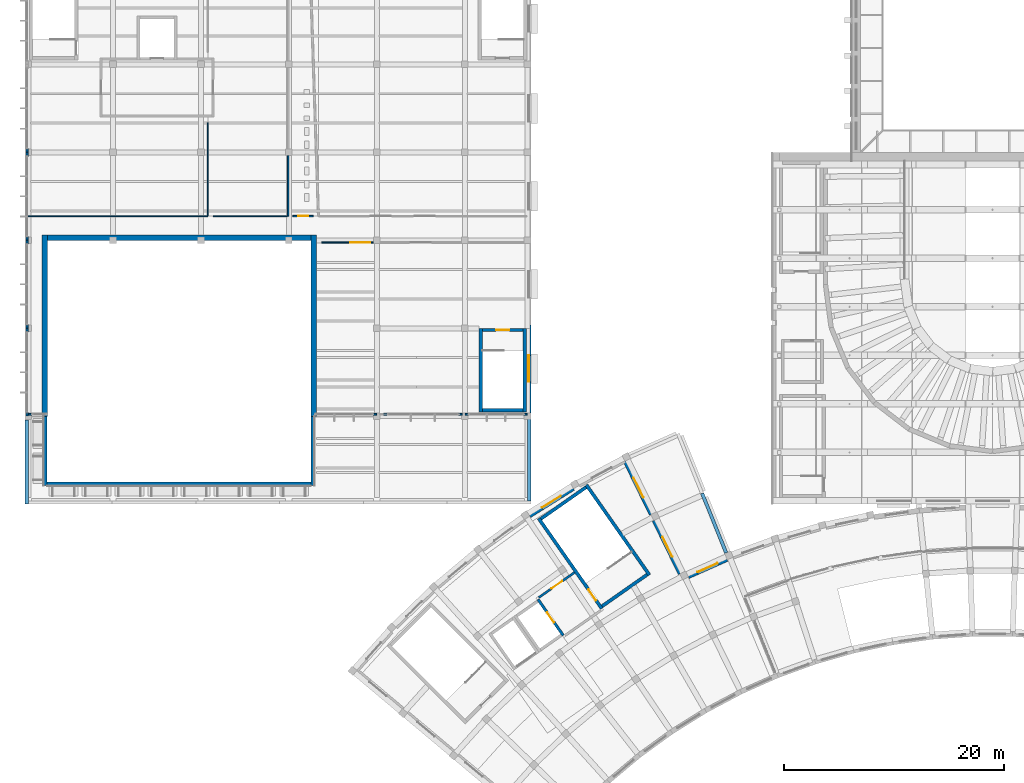
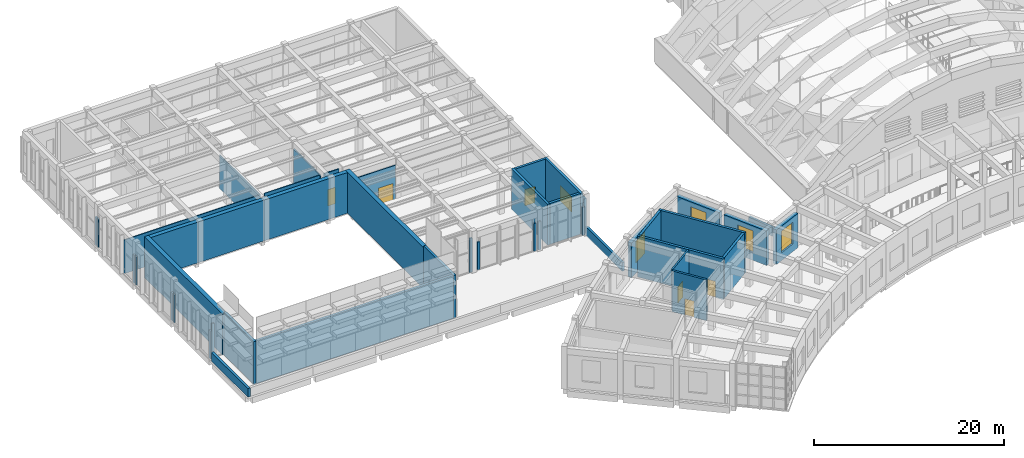
# One storey, part 60 of 94: 43 walls, 6 doors, 5 windows, 11 openings.
"""IFC4 building model written with IfcOpenShell, lengths in metres."""

from ifc_helpers import new_model, si_unit, direction, frame, frame_2d, origin, place, context, subcontext, project, spatial, polyline, rectangle, outline, extrude, material, layer, layer_set, type_object, element, fill, save


model = new_model("IFC4")

# Units and contexts
model_context = context("Model", 3, precision=1e-05, world=origin(), true_north=direction((0.0, 1.0)))
body_context = subcontext(model_context, "Body", "Model", "MODEL_VIEW")
ifc_project = project(units=[si_unit("LENGTHUNIT", "METRE"), si_unit("AREAUNIT", "SQUARE_METRE"), si_unit("VOLUMEUNIT", "CUBIC_METRE"), si_unit("PLANEANGLEUNIT", "RADIAN"), si_unit("MASSUNIT", "GRAM", prefix="KILO")], contexts=[model_context])

# Site, building, storey
site_placement = place(None, origin())
site = spatial("IfcSite", under=ifc_project, at=site_placement, CompositionType="ELEMENT")
building_placement = place(site_placement, origin())
building = spatial("IfcBuilding", under=site, at=building_placement, Name="Lunette Opera House", CompositionType="ELEMENT")
storey_placement = place(building_placement, frame((0.0, 0.0, 22.5)))
storey = spatial("IfcBuildingStorey", under=building, at=storey_placement, Name="L04", CompositionType="ELEMENT", Elevation=22.5)

# Wall, opening, window
ifc_material_1 = material(Name="Clinker brick", Category="masonry")
ifc_layer_1 = layer(ifc_material_1, 0.449951171875)
ifc_layer_set_1 = layer_set([ifc_layer_1], Name="Clinker brick")
wall_type_1 = type_object("IfcWallType", Name="ARM RAIN SCREEN WALL 450", PredefinedType="SOLIDWALL", material=ifc_layer_set_1)
wall_1_placement = place(storey_placement, frame((53.881103515625, 62.97900390625, 0.0), z_axis=(0.0, 0.0, 1.0), x_axis=(0.848094792162, 0.529844527676, 0.0)))
wall_1 = element("IfcWall", 1, at=wall_1_placement, inside=storey, type_object=wall_type_1, Name="Arm Rain Screen Wall 450 BW-CW05 L04", PredefinedType="SOLIDWALL", context=body_context, shape_type="SweptSolid", body=[
    extrude(rectangle(XDim=4.690185546875, YDim=0.449951171875, at=frame_2d((2.34521484375, 0.0))), origin(), (0.0, 0.0, 1.0), 4.449951171875),
])
opening_1_placement = place(wall_1_placement, frame((1.344970703125, 0.0, 1.0)))
opening_1 = element("IfcOpeningElement", 2, at=opening_1_placement, cuts=wall_1, Name="Opening FC-N2129", PredefinedType="OPENING", context=body_context, shape_type="SweptSolid", body=[
    extrude(rectangle(XDim=2.0, YDim=2.800048828125, at=frame_2d((1.0, 1.39990234375))), frame((0.0, 0.237060546875, 0.0), z_axis=(0.0, -1.0, 0.0), x_axis=(1.0, 0.0, 0.0)), (0.0, 0.0, 1.0), 0.473876953125),
])
ifc_material_2 = material(Name="Aluminium", Category="aluminium")
window_type_1 = type_object("IfcWindowType", Name="ARM WINDOW 2000 X 2800", PartitioningType="DOUBLE_PANEL_VERTICAL", PredefinedType="WINDOW", material=ifc_material_2)
window_1_placement = place(opening_1_placement, origin())
window_1 = element("IfcWindow", 3, at=window_1_placement, inside=storey, type_object=window_type_1, Name="Arm Window 2000 X 2800 BW-CW05 L04", OverallHeight=2.800048828125, OverallWidth=2.0, PartitioningType="DOUBLE_PANEL_VERTICAL", PredefinedType="WINDOW", context=body_context, shape_type="SweptSolid", body=[
    extrude(rectangle(XDim=2.0, YDim=2.800048828125, at=frame_2d((1.0, 1.39990234375))), frame((0.0, 0.030029296875, 0.0), z_axis=(0.0, -1.0, 0.0), x_axis=(1.0, 0.0, 0.0)), (0.0, 0.0, 1.0), 0.06005859375),
])
fill(opening_1, window_1)

ifc_material_3 = material(Name="Clinker brick", Category="masonry")
ifc_layer_2 = layer(ifc_material_3, 0.449951171875)
ifc_layer_set_2 = layer_set([ifc_layer_2], Name="Clinker brick")
wall_type_2 = type_object("IfcWallType", Name="ARM REAR WALL 450", PredefinedType="SOLIDWALL", material=ifc_layer_set_2)
wall_2_placement = place(storey_placement, frame((71.8330078125, 59.008056640625, 0.0), z_axis=(0.0, 0.0, 1.0), x_axis=(-0.913638749142, -0.406527042231, 0.0)))
wall_2 = element("IfcWall", 4, at=wall_2_placement, inside=storey, type_object=wall_type_2, Name="Arm Rear Wall 450 F01 L04", PredefinedType="SOLIDWALL", context=body_context, shape_type="SweptSolid", body=[
    extrude(rectangle(XDim=3.84716796875, YDim=0.449951171875, at=frame_2d((1.923583984375, 0.0))), origin(), (0.0, 0.0, 1.0), 4.449951171875),
])
opening_2_placement = place(wall_2_placement, frame((0.923095703125, 0.0, 1.0)))
opening_2 = element("IfcOpeningElement", 5, at=opening_2_placement, cuts=wall_2, Name="Opening FC-N2191", PredefinedType="OPENING", context=body_context, shape_type="SweptSolid", body=[
    extrude(rectangle(XDim=2.0, YDim=2.800048828125, at=frame_2d((1.0, 1.39990234375))), frame((0.0, 0.237060546875, 0.0), z_axis=(0.0, -1.0, 0.0), x_axis=(1.0, 0.0, 0.0)), (0.0, 0.0, 1.0), 0.473876953125),
])
window_2_placement = place(opening_2_placement, origin())
window_2 = element("IfcWindow", 6, at=window_2_placement, inside=storey, type_object=window_type_1, Name="Arm Window 2000 X 2800 F01 L04", OverallHeight=2.800048828125, OverallWidth=2.0, PartitioningType="DOUBLE_PANEL_VERTICAL", PredefinedType="WINDOW", context=body_context, shape_type="SweptSolid", body=[
    extrude(rectangle(XDim=2.0, YDim=2.800048828125, at=frame_2d((1.0, 1.39990234375))), frame((0.0, 0.030029296875, 0.0), z_axis=(0.0, -1.0, 0.0), x_axis=(1.0, 0.0, 0.0)), (0.0, 0.0, 1.0), 0.06005859375),
])
fill(opening_2, window_2)

wall_3_placement = place(storey_placement, frame((67.610107421875, 57.693115234375, 0.0), z_axis=(0.0, 0.0, 1.0), x_axis=(-0.438184895588, 0.898884863194, 0.0)))
wall_3 = element("IfcWall", 7, at=wall_3_placement, inside=storey, type_object=wall_type_2, Name="Arm Rear Wall 450 F02 L04", PredefinedType="SOLIDWALL", context=body_context, shape_type="SweptSolid", body=[
    extrude(rectangle(XDim=5.400146484375, YDim=0.449951171875, at=frame_2d((2.7001953125, 0.0))), origin(), (0.0, 0.0, 1.0), 4.449951171875),
])
opening_3_placement = place(wall_3_placement, frame((1.699951171875, 0.0, 1.0)))
opening_3 = element("IfcOpeningElement", 8, at=opening_3_placement, cuts=wall_3, Name="Opening FC-N2192", PredefinedType="OPENING", context=body_context, shape_type="SweptSolid", body=[
    extrude(rectangle(XDim=2.0, YDim=2.800048828125, at=frame_2d((1.0, 1.39990234375))), frame((0.0, 0.237060546875, 0.0), z_axis=(0.0, -1.0, 0.0), x_axis=(1.0, 0.0, 0.0)), (0.0, 0.0, 1.0), 0.473876953125),
])
window_3_placement = place(opening_3_placement, origin())
window_3 = element("IfcWindow", 9, at=window_3_placement, inside=storey, type_object=window_type_1, Name="Arm Window 2000 X 2800 F02 L04", OverallHeight=2.800048828125, OverallWidth=2.0, PartitioningType="DOUBLE_PANEL_VERTICAL", PredefinedType="WINDOW", context=body_context, shape_type="SweptSolid", body=[
    extrude(rectangle(XDim=2.0, YDim=2.800048828125, at=frame_2d((1.0, 1.39990234375))), frame((0.0, 0.030029296875, 0.0), z_axis=(0.0, -1.0, 0.0), x_axis=(1.0, 0.0, 0.0)), (0.0, 0.0, 1.0), 0.06005859375),
])
fill(opening_3, window_3)

wall_4_placement = place(storey_placement, frame((64.97998046875, 63.0869140625, 0.0), z_axis=(0.0, 0.0, 1.0), x_axis=(-0.438365726399, 0.89879668998, 0.0)))
wall_4 = element("IfcWall", 10, at=wall_4_placement, inside=storey, type_object=wall_type_2, Name="Arm Rear Wall 450 F03 L04", PredefinedType="SOLIDWALL", context=body_context, shape_type="SweptSolid", body=[
    extrude(rectangle(XDim=5.3994140625, YDim=0.449951171875, at=frame_2d((2.69970703125, 0.0))), origin(), (0.0, 0.0, 1.0), 4.449951171875),
])
opening_4_placement = place(wall_4_placement, frame((1.699951171875, 0.0, 1.0)))
opening_4 = element("IfcOpeningElement", 11, at=opening_4_placement, cuts=wall_4, Name="Opening FC-N2193", PredefinedType="OPENING", context=body_context, shape_type="SweptSolid", body=[
    extrude(rectangle(XDim=2.0, YDim=2.800048828125, at=frame_2d((1.0, 1.39990234375))), frame((0.0, 0.237060546875, 0.0), z_axis=(0.0, -1.0, 0.0), x_axis=(1.0, 0.0, 0.0)), (0.0, 0.0, 1.0), 0.473876953125),
])
window_4_placement = place(opening_4_placement, origin())
window_4 = element("IfcWindow", 12, at=window_4_placement, inside=storey, type_object=window_type_1, Name="Arm Window 2000 X 2800 F03 L04", OverallHeight=2.800048828125, OverallWidth=2.0, PartitioningType="DOUBLE_PANEL_VERTICAL", PredefinedType="WINDOW", context=body_context, shape_type="SweptSolid", body=[
    extrude(rectangle(XDim=2.0, YDim=2.800048828125, at=frame_2d((1.0, 1.39990234375))), frame((0.0, 0.030029296875, 0.0), z_axis=(0.0, -1.0, 0.0), x_axis=(1.0, 0.0, 0.0)), (0.0, 0.0, 1.0), 0.06005859375),
])
fill(opening_4, window_4)

# Wall
ifc_material_4 = material(Name="Plastered clay blockwork", Category="masonry")
ifc_layer_3 = layer(ifc_material_4, 0.14990234375)
ifc_layer_set_3 = layer_set([ifc_layer_3], Name="Plastered clay blockwork")
wall_type_3 = type_object("IfcWallType", Name="BLOCK PARTITION 150", PredefinedType="PARTITIONING", material=ifc_layer_set_3)
wall_5_placement = place(storey_placement, frame((31.930908203125, 95.699951171875, 0.0), z_axis=(0.0, 0.0, 1.0), x_axis=(0.0, -1.0, 0.0)))
element("IfcWall", 13, at=wall_5_placement, inside=storey, type_object=wall_type_3, Name="Partition Rehearsal Wing WC L04", PredefinedType="PARTITIONING", context=body_context, shape_type="SweptSolid", body=[
    extrude(rectangle(XDim=5.5, YDim=0.14990234375, at=frame_2d((2.75, 0.0))), origin(), (0.0, 0.0, 1.0), 4.35009765625),
])

# Wall, opening, door
wall_6_placement = place(storey_placement, frame((32.35595703125, 90.199951171875, 0.0), z_axis=(0.0, 0.0, 1.0), x_axis=(1.0, 0.0, 0.0)))
wall_6 = element("IfcWall", 14, at=wall_6_placement, inside=storey, type_object=wall_type_3, Name="Partition Rehearsal Wing WC L04", PredefinedType="PARTITIONING", context=body_context, shape_type="SweptSolid", body=[
    extrude(rectangle(XDim=1.843017578125, YDim=0.14990234375, at=frame_2d((0.92138671875, 0.0))), origin(), (0.0, 0.0, 1.0), 4.35009765625),
])
opening_5_placement = place(wall_6_placement, frame((0.5009765625, 0.0, 0.0)))
opening_5 = element("IfcOpeningElement", 15, at=opening_5_placement, cuts=wall_6, Name="Opening RW-D3044", PredefinedType="OPENING", context=body_context, shape_type="SweptSolid", body=[
    extrude(rectangle(XDim=0.89990234375, YDim=2.10009765625, at=frame_2d((0.449951171875, 1.050048828125))), frame((0.0, 0.0869140625, 0.0), z_axis=(0.0, -1.0, 0.0), x_axis=(1.0, 0.0, 0.0)), (0.0, 0.0, 1.0), 0.173828125),
])
ifc_material_5 = material(Name="Timber", Category="wood")
door_type_1 = type_object("IfcDoorType", Name="FLUSH DOOR 900 X 2100", OperationType="SINGLE_SWING_LEFT", PredefinedType="DOOR", material=ifc_material_5)
door_1_placement = place(opening_5_placement, origin())
door_1 = element("IfcDoor", 16, at=door_1_placement, inside=storey, type_object=door_type_1, Name="Rehearsal Wing WC L04 door", OperationType="SINGLE_SWING_RIGHT", OverallHeight=2.10009765625, OverallWidth=0.89990234375, PredefinedType="DOOR", context=body_context, shape_type="SweptSolid", body=[
    extrude(rectangle(XDim=0.89990234375, YDim=2.10009765625, at=frame_2d((0.449951171875, 1.050048828125))), frame((0.0, 0.02490234375, 0.0), z_axis=(0.0, -1.0, 0.0), x_axis=(1.0, 0.0, 0.0)), (0.0, 0.0, 1.0), 0.050048828125),
])
fill(opening_5, door_1)

# Walls
ifc_material_6 = material(Name="Insulated aluminium sandwich panel", Category="aluminium")
ifc_layer_4 = layer(ifc_material_6, 0.179931640625)
ifc_layer_set_4 = layer_set([ifc_layer_4], Name="Insulated aluminium sandwich panel")
wall_type_4 = type_object("IfcWallType", Name="CURTAIN WALL INFILL 180", PredefinedType="SOLIDWALL", material=ifc_layer_set_4)
wall_7_placement = place(storey_placement, frame((39.669921875, 72.18310546875, 0.0), z_axis=(0.0, 0.0, 1.0), x_axis=(1.0, 0.0, 0.0)))
element("IfcWall", 17, at=wall_7_placement, inside=storey, type_object=wall_type_4, Name="Curtain Wall Infill 180 IN109 L04", PredefinedType="SOLIDWALL", context=body_context, shape_type="SweptSolid", body=[
    extrude(rectangle(XDim=0.30517578125, YDim=0.179931640625, at=frame_2d((0.152587890625, 0.0))), origin(), (0.0, 0.0, 1.0), 4.39990234375),
])
for number, where, z_axis, x_axis, name in (
    (18, (47.455078125, 72.18310546875, 0.0), (0.0, 0.0, 1.0), (1.0, 0.0, 0.0), "Curtain Wall Infill 180 IN110 L04"),
    (19, (40.909912109375, 72.18310546875, 0.0), (0.0, 0.0, 1.0), (-1.0, 0.0, 0.0), "Curtain Wall Infill 180 IN111 L04"),
    (20, (53.3701171875, 72.18310546875, 0.0), (0.0, 0.0, 1.0), (1.0, 0.0, 0.0), "Curtain Wall Infill 180 IN112 L04"),
):
    element("IfcWall", number, at=place(storey_placement, frame(where, z_axis=z_axis, x_axis=x_axis)), inside=storey, type_object=wall_type_4, Name=name, PredefinedType="SOLIDWALL", context=body_context, shape_type="SweptSolid", body=[
        extrude(rectangle(XDim=0.304931640625, YDim=0.179931640625, at=frame_2d((0.15234375, 0.0))), origin(), (0.0, 0.0, 1.0), 3.60009765625),
    ])
for number, where, z_axis, x_axis, name in (
    (21, (48.330078125, 72.18310546875, 0.0), (0.0, 0.0, 1.0), (-1.0, 0.0, 0.0), "Curtain Wall Infill 180 IN113 L04"),
    (22, (8.181884765625, 96.330078125, 0.0), (0.0, 0.0, 1.0), (0.0, -1.0, 0.0), "Curtain Wall Infill 180 IN115 L04"),
    (23, (8.181884765625, 88.330078125, 0.0), (0.0, 0.0, 1.0), (0.0, -1.0, 0.0), "Curtain Wall Infill 180 IN117 L04"),
    (24, (8.181884765625, 95.669921875, 0.0), (0.0, 0.0, 1.0), (0.0, 1.0, 0.0), "Curtain Wall Infill 180 IN118 L04"),
    (25, (8.181884765625, 80.330078125, 0.0), (0.0, 0.0, 1.0), (0.0, -1.0, 0.0), "Curtain Wall Infill 180 IN119 L04"),
    (26, (8.181884765625, 87.669921875, 0.0), (0.0, 0.0, 1.0), (0.0, 1.0, 0.0), "Curtain Wall Infill 180 IN120 L04"),
    (27, (8.181884765625, 72.330078125, 0.0), (0.0, 0.0, 1.0), (0.0, -1.0, 0.0), "Curtain Wall Infill 180 IN121 L04"),
    (28, (8.181884765625, 79.669921875, 0.0), (0.0, 0.0, 1.0), (0.0, 1.0, 0.0), "Curtain Wall Infill 180 IN122 L04"),
):
    element("IfcWall", number, at=place(storey_placement, frame(where, z_axis=z_axis, x_axis=x_axis)), inside=storey, type_object=wall_type_4, Name=name, PredefinedType="SOLIDWALL", context=body_context, shape_type="SweptSolid", body=[
        extrude(rectangle(XDim=0.30517578125, YDim=0.179931640625, at=frame_2d((0.152587890625, 0.0))), origin(), (0.0, 0.0, 1.0), 3.60009765625),
    ])
wall_8_placement = place(storey_placement, frame((8.6298828125, 72.18310546875, 0.0), z_axis=(0.0, 0.0, 1.0), x_axis=(-1.0, 0.0, 0.0)))
element("IfcWall", 29, at=wall_8_placement, inside=storey, type_object=wall_type_4, Name="Curtain Wall Infill 180 IN123 L04", PredefinedType="SOLIDWALL", context=body_context, shape_type="SweptSolid", body=[
    extrude(rectangle(XDim=0.304931640625, YDim=0.179931640625, at=frame_2d((0.15234375, 0.0))), origin(), (0.0, 0.0, 1.0), 4.39990234375),
])

# Wall, opening, door
ifc_material_7 = material(Name="Concrete C35/45", Category="concrete")
ifc_layer_5 = layer(ifc_material_7, 0.199951171875)
ifc_layer_set_5 = layer_set([ifc_layer_5], Name="Concrete C35/45")
wall_type_5 = type_object("IfcWallType", Name="LOBBY WALL 200", PredefinedType="PARTITIONING", material=ifc_layer_set_5)
wall_9_placement = place(storey_placement, frame((57.98388671875, 57.797119140625, 0.0), z_axis=(0.0, 0.0, 1.0), x_axis=(-0.819125561737, -0.573614255497, 0.0)))
wall_9 = element("IfcWall", 30, at=wall_9_placement, inside=storey, type_object=wall_type_5, Name="FL2 lobby wall 2a", PredefinedType="PARTITIONING", context=body_context, shape_type="SweptSolid", body=[
    extrude(rectangle(XDim=3.990478515625, YDim=0.199951171875, at=frame_2d((1.9951171875, 0.0))), origin(), (0.0, 0.0, 1.0), 5.25),
])
opening_6_placement = place(wall_9_placement, frame((1.3798828125, 0.0, 0.0)))
opening_6 = element("IfcOpeningElement", 31, at=opening_6_placement, cuts=wall_9, Name="Opening FC-D7036", PredefinedType="OPENING", context=body_context, shape_type="SweptSolid", body=[
    extrude(rectangle(XDim=1.199951171875, YDim=2.10009765625, at=frame_2d((0.60009765625, 1.050048828125))), frame((0.0, 0.112060546875, 0.0), z_axis=(0.0, -1.0, 0.0), x_axis=(1.0, 0.0, 0.0)), (0.0, 0.0, 1.0), 0.223876953125),
])
ifc_material_8 = material(Name="Steel", Category="steel")
door_type_2 = type_object("IfcDoorType", Name="FIRE DOOR 1200 X 2100", OperationType="SINGLE_SWING_LEFT", PredefinedType="DOOR", material=ifc_material_8)
door_2_placement = place(opening_6_placement, origin())
door_2 = element("IfcDoor", 32, at=door_2_placement, inside=storey, type_object=door_type_2, Name="FL2 lobby door", OperationType="SINGLE_SWING_LEFT", OverallHeight=2.10009765625, OverallWidth=1.199951171875, PredefinedType="DOOR", context=body_context, shape_type="SweptSolid", body=[
    extrude(rectangle(XDim=1.199951171875, YDim=2.10009765625, at=frame_2d((0.60009765625, 1.050048828125))), frame((0.0, 0.02490234375, 0.0), z_axis=(0.0, -1.0, 0.0), x_axis=(1.0, 0.0, 0.0)), (0.0, 0.0, 1.0), 0.050048828125),
])
fill(opening_6, door_2)

ifc_material_9 = material(Name="Concrete C35/45", Category="concrete")
ifc_layer_6 = layer(ifc_material_9, 0.25)
ifc_layer_set_6 = layer_set([ifc_layer_6], Name="Concrete C35/45")
wall_type_6 = type_object("IfcWallType", Name="RC LIFT SHAFT WALL 250", PredefinedType="SOLIDWALL", material=ifc_layer_set_6)
wall_10_placement = place(storey_placement, frame((56.948974609375, 52.06689453125, 0.0), z_axis=(0.0, 0.0, 1.0), x_axis=(-0.573736768582, 0.819039755065, 0.0)))
wall_10 = element("IfcWall", 33, at=wall_10_placement, inside=storey, type_object=wall_type_6, Name="FL2 shaft wall 1", PredefinedType="SOLIDWALL", context=body_context, shape_type="SweptSolid", body=[
    extrude(rectangle(XDim=4.0, YDim=0.25, at=frame_2d((2.0, 0.0))), origin(), (0.0, 0.0, 1.0), 5.25),
])
opening_7_placement = place(wall_10_placement, frame((1.449951171875, 0.0, 0.0)))
opening_7 = element("IfcOpeningElement", 34, at=opening_7_placement, cuts=wall_10, Name="Opening FC-LD012", PredefinedType="OPENING", context=body_context, shape_type="SweptSolid", body=[
    extrude(rectangle(XDim=1.10009765625, YDim=2.10009765625, at=frame_2d((0.550048828125, 1.050048828125))), frame((0.0, 0.136962890625, 0.0), z_axis=(0.0, -1.0, 0.0), x_axis=(1.0, 0.0, 0.0)), (0.0, 0.0, 1.0), 0.27392578125),
])
ifc_material_10 = material(Name="Stainless steel", Category="steel")
door_type_3 = type_object("IfcDoorType", Name="LIFT LANDING DOOR 1100 X 2100", OperationType="DOUBLE_DOOR_SLIDING", PredefinedType="DOOR", material=ifc_material_10)
door_3_placement = place(opening_7_placement, origin())
door_3 = element("IfcDoor", 35, at=door_3_placement, inside=storey, type_object=door_type_3, Name="FL2 lift landing door", OperationType="DOUBLE_DOOR_SLIDING", OverallHeight=2.10009765625, OverallWidth=1.10009765625, PredefinedType="DOOR", context=body_context, shape_type="SweptSolid", body=[
    extrude(rectangle(XDim=1.10009765625, YDim=2.10009765625, at=frame_2d((0.550048828125, 1.050048828125))), frame((0.0, 0.02490234375, 0.0), z_axis=(0.0, -1.0, 0.0), x_axis=(1.0, 0.0, 0.0)), (0.0, 0.0, 1.0), 0.050048828125),
])
fill(opening_7, door_3)

# Walls
ifc_material_11 = material(Name="Concrete C35/45", Category="concrete")
ifc_layer_7 = layer(ifc_material_11, 0.300048828125)
ifc_layer_set_7 = layer_set([ifc_layer_7], Name="Concrete C35/45")
wall_type_7 = type_object("IfcWallType", Name="RC LOFT WALL 300", PredefinedType="SHEAR", material=ifc_layer_set_7)
wall_11_placement = place(storey_placement, frame((10.0, 65.85009765625, 0.0), z_axis=(0.0, 0.0, 1.0), x_axis=(1.0, 0.0, 0.0)))
element("IfcWall", 36, at=wall_11_placement, inside=storey, type_object=wall_type_7, Name="Rehearsal loft wall S1", PredefinedType="SHEAR", context=body_context, shape_type="SweptSolid", body=[
    extrude(rectangle(XDim=24.0, YDim=0.300048828125, at=frame_2d((12.0, 0.0))), origin(), (0.0, 0.0, 1.0), 5.5),
])
for number, where, z_axis, x_axis, name in (
    (37, (9.85009765625, 65.699951171875, 0.0), (0.0, 0.0, 1.0), (0.0, 1.0, 0.0), "Rehearsal loft wall W1"),
    (38, (34.14990234375, 65.699951171875, 0.0), (0.0, 0.0, 1.0), (0.0, 1.0, 0.0), "Rehearsal loft wall E1"),
):
    element("IfcWall", number, at=place(storey_placement, frame(where, z_axis=z_axis, x_axis=x_axis)), inside=storey, type_object=wall_type_7, Name=name, PredefinedType="SHEAR", context=body_context, shape_type="SweptSolid", body=[
        extrude(rectangle(XDim=6.300048828125, YDim=0.300048828125, at=frame_2d((3.14990234375, 0.0))), origin(), (0.0, 0.0, 1.0), 5.5),
    ])
ifc_material_12 = material(Name="Concrete C35/45", Category="concrete")
ifc_layer_8 = layer(ifc_material_12, 0.300048828125)
ifc_layer_set_8 = layer_set([ifc_layer_8], Name="Concrete C35/45")
wall_type_8 = type_object("IfcWallType", Name="RC STAIR ENCLOSURE WALL 300", PredefinedType="SOLIDWALL", material=ifc_layer_set_8)
wall_12_placement = place(storey_placement, frame((53.449951171875, 72.39990234375, 0.0), z_axis=(0.0, 0.0, 1.0), x_axis=(0.0, 1.0, 0.0)))
element("IfcWall", 39, at=wall_12_placement, inside=storey, type_object=wall_type_8, Name="ST16 enclosure wall 1", PredefinedType="SOLIDWALL", context=body_context, shape_type="SweptSolid", body=[
    extrude(rectangle(XDim=7.60009765625, YDim=0.300048828125, at=frame_2d((3.800048828125, 0.0))), origin(), (0.0, 0.0, 1.0), 5.25),
])

# Wall, opening, door
wall_13_placement = place(storey_placement, frame((53.300048828125, 79.85009765625, 0.0), z_axis=(0.0, 0.0, 1.0), x_axis=(-1.0, 0.0, 0.0)))
wall_13 = element("IfcWall", 40, at=wall_13_placement, inside=storey, type_object=wall_type_8, Name="ST16 enclosure wall 2", PredefinedType="SOLIDWALL", context=body_context, shape_type="SweptSolid", body=[
    extrude(rectangle(XDim=3.699951171875, YDim=0.300048828125, at=frame_2d((1.85009765625, 0.0))), origin(), (0.0, 0.0, 1.0), 5.25),
])
opening_8_placement = place(wall_13_placement, frame((1.25, 0.0, 0.0)))
opening_8 = element("IfcOpeningElement", 41, at=opening_8_placement, cuts=wall_13, Name="Opening RW-D7012", PredefinedType="OPENING", context=body_context, shape_type="SweptSolid", body=[
    extrude(rectangle(XDim=1.199951171875, YDim=2.10009765625, at=frame_2d((0.60009765625, 1.050048828125))), frame((0.0, 0.162109375, 0.0), z_axis=(0.0, -1.0, 0.0), x_axis=(1.0, 0.0, 0.0)), (0.0, 0.0, 1.0), 0.323974609375),
])
door_4_placement = place(opening_8_placement, origin())
door_4 = element("IfcDoor", 42, at=door_4_placement, inside=storey, type_object=door_type_2, Name="ST16 stair door", OperationType="SINGLE_SWING_LEFT", OverallHeight=2.10009765625, OverallWidth=1.199951171875, PredefinedType="DOOR", context=body_context, shape_type="SweptSolid", body=[
    extrude(rectangle(XDim=1.199951171875, YDim=2.10009765625, at=frame_2d((0.60009765625, 1.050048828125))), frame((0.0, 0.02490234375, 0.0), z_axis=(0.0, -1.0, 0.0), x_axis=(1.0, 0.0, 0.0)), (0.0, 0.0, 1.0), 0.050048828125),
])
fill(opening_8, door_4)

# Walls
wall_14_placement = place(storey_placement, frame((49.449951171875, 80.0, 0.0), z_axis=(0.0, 0.0, 1.0), x_axis=(0.0, -1.0, 0.0)))
element("IfcWall", 43, at=wall_14_placement, inside=storey, type_object=wall_type_8, Name="ST16 enclosure wall 3", PredefinedType="SOLIDWALL", context=body_context, shape_type="SweptSolid", body=[
    extrude(rectangle(XDim=7.60009765625, YDim=0.300048828125, at=frame_2d((3.800048828125, 0.0))), origin(), (0.0, 0.0, 1.0), 5.25),
])
wall_15_placement = place(storey_placement, frame((49.60009765625, 72.550048828125, 0.0), z_axis=(0.0, 0.0, 1.0), x_axis=(1.0, 0.0, 0.0)))
element("IfcWall", 44, at=wall_15_placement, inside=storey, type_object=wall_type_8, Name="ST16 enclosure wall 4", PredefinedType="SOLIDWALL", context=body_context, shape_type="SweptSolid", body=[
    extrude(rectangle(XDim=3.699951171875, YDim=0.300048828125, at=frame_2d((1.85009765625, 0.0))), origin(), (0.0, 0.0, 1.0), 5.25),
])
wall_16_placement = place(storey_placement, frame((64.791015625, 57.55908203125, 0.0), z_axis=(0.0, 0.0, 1.0), x_axis=(-0.573514776444, 0.819195215563, 0.0)))
element("IfcWall", 45, at=wall_16_placement, inside=storey, type_object=wall_type_8, Name="ST2 enclosure wall 1", PredefinedType="SOLIDWALL", context=body_context, shape_type="SweptSolid", body=[
    extrude(rectangle(XDim=10.0, YDim=0.300048828125, at=frame_2d((5.0, 0.0))), origin(), (0.0, 0.0, 1.0), 5.25),
])
wall_17_placement = place(storey_placement, frame((59.01904296875, 65.5419921875, 0.0), z_axis=(0.0, 0.0, 1.0), x_axis=(-0.819160804606, -0.573563925118, 0.0)))
element("IfcWall", 46, at=wall_17_placement, inside=storey, type_object=wall_type_8, Name="ST2 enclosure wall 2", PredefinedType="SOLIDWALL", context=body_context, shape_type="SweptSolid", body=[
    extrude(rectangle(XDim=5.000244140625, YDim=0.300048828125, at=frame_2d((2.5, 0.0))), origin(), (0.0, 0.0, 1.0), 5.25),
])

# Wall, opening, door
wall_18_placement = place(storey_placement, frame((54.714111328125, 62.7109375, 0.0), z_axis=(0.0, 0.0, 1.0), x_axis=(0.573563925118, -0.819160804606, 0.0)))
wall_18 = element("IfcWall", 47, at=wall_18_placement, inside=storey, type_object=wall_type_8, Name="ST2 enclosure wall 3", PredefinedType="SOLIDWALL", context=body_context, shape_type="SweptSolid", body=[
    extrude(rectangle(XDim=10.000244140625, YDim=0.300048828125, at=frame_2d((5.0, 0.0))), origin(), (0.0, 0.0, 1.0), 5.25),
])
opening_9_placement = place(wall_18_placement, frame((7.89990234375, 0.0, 0.0)))
opening_9 = element("IfcOpeningElement", 48, at=opening_9_placement, cuts=wall_18, Name="Opening FC-D7018", PredefinedType="OPENING", context=body_context, shape_type="SweptSolid", body=[
    extrude(rectangle(XDim=1.199951171875, YDim=2.10009765625, at=frame_2d((0.60009765625, 1.050048828125))), frame((0.0, 0.162109375, 0.0), z_axis=(0.0, -1.0, 0.0), x_axis=(1.0, 0.0, 0.0)), (0.0, 0.0, 1.0), 0.323974609375),
])
door_5_placement = place(opening_9_placement, origin())
door_5 = element("IfcDoor", 49, at=door_5_placement, inside=storey, type_object=door_type_2, Name="ST2 stair door", OperationType="SINGLE_SWING_LEFT", OverallHeight=2.10009765625, OverallWidth=1.199951171875, PredefinedType="DOOR", context=body_context, shape_type="SweptSolid", body=[
    extrude(rectangle(XDim=1.199951171875, YDim=2.10009765625, at=frame_2d((0.60009765625, 1.050048828125))), frame((0.0, 0.02490234375, 0.0), z_axis=(0.0, -1.0, 0.0), x_axis=(1.0, 0.0, 0.0)), (0.0, 0.0, 1.0), 0.050048828125),
])
fill(opening_9, door_5)

# Walls
wall_19_placement = place(storey_placement, frame((60.487060546875, 54.72802734375, 0.0), z_axis=(0.0, 0.0, 1.0), x_axis=(0.819096538389, 0.573655698829, 0.0)))
element("IfcWall", 50, at=wall_19_placement, inside=storey, type_object=wall_type_8, Name="ST2 enclosure wall 4", PredefinedType="SOLIDWALL", context=body_context, shape_type="SweptSolid", body=[
    extrude(rectangle(XDim=4.999267578125, YDim=0.300048828125, at=frame_2d((2.49951171875, 0.0))), origin(), (0.0, 0.0, 1.0), 5.25),
])
ifc_material_13 = material(Name="Concrete C35/45", Category="concrete")
ifc_layer_9 = layer(ifc_material_13, 0.5)
ifc_layer_set_9 = layer_set([ifc_layer_9], Name="Concrete C35/45")
wall_type_9 = type_object("IfcWallType", Name="RC WALL 500", PredefinedType="SHEAR", material=ifc_layer_set_9)
wall_20_placement = place(storey_placement, frame((9.56005859375, 88.25, 0.0), z_axis=(0.0, 0.0, 1.0), x_axis=(1.0, 0.0, 0.0)))
element("IfcWall", 51, at=wall_20_placement, inside=storey, type_object=wall_type_9, Name="wall-RW-L04-HW-N-1", PredefinedType="SHEAR", context=body_context, shape_type="SweptSolid", body=[
    extrude(rectangle(XDim=24.93994140625, YDim=0.5, at=frame_2d((12.469970703125, 0.0))), origin(), (0.0, 0.0, 1.0), 5.25),
])
for number, where, z_axis, x_axis, name in (
    (52, (9.81005859375, 72.0, 0.0), (0.0, 0.0, 1.0), (0.0, 1.0, 0.0), "wall-RW-L04-HW-W-1"),
    (53, (34.25, 72.0, 0.0), (0.0, 0.0, 1.0), (0.0, 1.0, 0.0), "wall-RW-L04-HW-E-1"),
):
    element("IfcWall", number, at=place(storey_placement, frame(where, z_axis=z_axis, x_axis=x_axis)), inside=storey, type_object=wall_type_9, Name=name, PredefinedType="SHEAR", context=body_context, shape_type="SweptSolid", body=[
        extrude(outline(polyline([(0.0, 0.0), (16.5, 0.0), (16.5, 5.25), (0.0009765625, 5.25), (0.0, 0.0), (0.0, 0.0)])), frame((0.0, 0.25, 0.0), z_axis=(0.0, -1.0, 0.0), x_axis=(1.0, 0.0, 0.0)), (0.0, 0.0, 1.0), 0.5),
    ])

# Wall, opening, window
ifc_material_14 = material(Name="Clinker brick", Category="masonry")
ifc_layer_10 = layer(ifc_material_14, 0.364990234375)
ifc_layer_set_10 = layer_set([ifc_layer_10], Name="Clinker brick")
wall_type_10 = type_object("IfcWallType", Name="REHEARSAL BRICK WALL 365", PredefinedType="SOLIDWALL", material=ifc_layer_set_10)
wall_21_placement = place(storey_placement, frame((53.818115234375, 72.300048828125, 0.0), z_axis=(0.0, 0.0, 1.0), x_axis=(0.0, 1.0, 0.0)))
wall_21 = element("IfcWall", 54, at=wall_21_placement, inside=storey, type_object=wall_type_10, Name="Rehearsal Brick Wall 365 F04 L04", PredefinedType="SOLIDWALL", context=body_context, shape_type="SweptSolid", body=[
    extrude(rectangle(XDim=7.991943359375, YDim=0.364990234375, at=frame_2d((3.99609375, 0.0))), origin(), (0.0, 0.0, 1.0), 4.449951171875),
])
opening_10_placement = place(wall_21_placement, frame((2.827880859375, 0.0, 1.0)))
opening_10 = element("IfcOpeningElement", 55, at=opening_10_placement, cuts=wall_21, Name="Opening RW-N2049", PredefinedType="OPENING", context=body_context, shape_type="SweptSolid", body=[
    extrude(rectangle(XDim=2.39990234375, YDim=2.0, at=frame_2d((1.199951171875, 1.0))), frame((0.0, 0.194580078125, 0.0), z_axis=(0.0, -1.0, 0.0), x_axis=(1.0, 0.0, 0.0)), (0.0, 0.0, 1.0), 0.388916015625),
])
ifc_material_15 = material(Name="Aluminium", Category="aluminium")
window_type_2 = type_object("IfcWindowType", Name="REHEARSAL WINDOW 2400 X 2000", PartitioningType="DOUBLE_PANEL_VERTICAL", PredefinedType="WINDOW", material=ifc_material_15)
window_5_placement = place(opening_10_placement, origin())
window_5 = element("IfcWindow", 56, at=window_5_placement, inside=storey, type_object=window_type_2, Name="Rehearsal Window 2400 X 2000 F04 L04", OverallHeight=2.0, OverallWidth=2.39990234375, PartitioningType="DOUBLE_PANEL_VERTICAL", PredefinedType="WINDOW", context=body_context, shape_type="SweptSolid", body=[
    extrude(rectangle(XDim=2.39990234375, YDim=2.0, at=frame_2d((1.199951171875, 1.0))), frame((0.0, 0.030029296875, 0.0), z_axis=(0.0, -1.0, 0.0), x_axis=(1.0, 0.0, 0.0)), (0.0, 0.0, 1.0), 0.06005859375),
])
fill(opening_10, window_5)

# Walls
ifc_material_16 = material(Name="Clinker brick", Category="masonry")
ifc_layer_11 = layer(ifc_material_16, 0.300048828125)
ifc_layer_set_11 = layer_set([ifc_layer_11], Name="Clinker brick")
wall_type_11 = type_object("IfcWallType", Name="ROOF PARAPET WALL 300", PredefinedType="PARAPET", material=ifc_layer_set_11)
wall_22_placement = place(storey_placement, frame((71.76806640625, 59.575927734375, 0.0), z_axis=(0.0, 0.0, 1.0), x_axis=(-0.374689775951, 0.9271502423, 0.0)))
element("IfcWall", 57, at=wall_22_placement, inside=storey, type_object=wall_type_11, Name="Roof Parapet Wall 300 PA-L03-13 L04", PredefinedType="PARAPET", context=body_context, shape_type="SweptSolid", body=[
    extrude(rectangle(XDim=5.83935546875, YDim=0.300048828125, at=frame_2d((2.919677734375, 0.0))), origin(), (0.0, 0.0, 1.0), 1.10009765625),
])
for number, where, z_axis, x_axis, name in (
    (58, (8.14990234375, 71.679931640625, 0.0), (0.0, 0.0, 1.0), (0.0, -1.0, 0.0), "Roof Parapet Wall 300 PA-L03-07 L04"),
    (59, (53.85009765625, 64.300048828125, 0.0), (0.0, 0.0, 1.0), (0.0, 1.0, 0.0), "Roof Parapet Wall 300 PA-L03-14 L04"),
):
    element("IfcWall", number, at=place(storey_placement, frame(where, z_axis=z_axis, x_axis=x_axis)), inside=storey, type_object=wall_type_11, Name=name, PredefinedType="PARAPET", context=body_context, shape_type="SweptSolid", body=[
        extrude(rectangle(XDim=7.679931640625, YDim=0.300048828125, at=frame_2d((3.83984375, 0.0))), origin(), (0.0, 0.0, 1.0), 1.10009765625),
    ])

# Wall, opening, door
ifc_material_17 = material(Name="Gypsum board on steel studs", Category="steel")
ifc_layer_12 = layer(ifc_material_17, 0.10009765625)
ifc_layer_set_12 = layer_set([ifc_layer_12], Name="Gypsum board on steel studs")
wall_type_12 = type_object("IfcWallType", Name="STUD PARTITION 100", PredefinedType="PARTITIONING", material=ifc_layer_set_12)
wall_23_placement = place(storey_placement, frame((35.0, 87.800048828125, 0.0), z_axis=(0.0, 0.0, 1.0), x_axis=(1.0, 0.0, 0.0)))
wall_23 = element("IfcWall", 60, at=wall_23_placement, inside=storey, type_object=wall_type_12, Name="Partition Corridor L04 Rehearsal", PredefinedType="PARTITIONING", context=body_context, shape_type="SweptSolid", body=[
    extrude(rectangle(XDim=4.699951171875, YDim=0.10009765625, at=frame_2d((2.35009765625, 0.0))), origin(), (0.0, 0.0, 1.0), 4.35009765625),
])
opening_11_placement = place(wall_23_placement, frame((2.60009765625, 0.0, 0.0)))
opening_11 = element("IfcOpeningElement", 61, at=opening_11_placement, cuts=wall_23, Name="Opening RW-D3048", PredefinedType="OPENING", context=body_context, shape_type="SweptSolid", body=[
    extrude(rectangle(XDim=1.800048828125, YDim=2.10009765625, at=frame_2d((0.89990234375, 1.050048828125))), frame((0.0, 0.06201171875, 0.0), z_axis=(0.0, -1.0, 0.0), x_axis=(1.0, 0.0, 0.0)), (0.0, 0.0, 1.0), 0.1240234375),
])
ifc_material_18 = material(Name="Timber", Category="wood")
door_type_4 = type_object("IfcDoorType", Name="DOUBLE FLUSH DOOR 1800 X 2100", OperationType="DOUBLE_DOOR_SINGLE_SWING", PredefinedType="DOOR", material=ifc_material_18)
door_6_placement = place(opening_11_placement, origin())
door_6 = element("IfcDoor", 62, at=door_6_placement, inside=storey, type_object=door_type_4, Name="Ensemble Practice Hall door", OperationType="DOUBLE_DOOR_SINGLE_SWING", OverallHeight=2.10009765625, OverallWidth=1.800048828125, PredefinedType="DOOR", context=body_context, shape_type="SweptSolid", body=[
    extrude(rectangle(XDim=1.800048828125, YDim=2.10009765625, at=frame_2d((0.89990234375, 1.050048828125))), frame((0.0, 0.02490234375, 0.0), z_axis=(0.0, -1.0, 0.0), x_axis=(1.0, 0.0, 0.0)), (0.0, 0.0, 1.0), 0.050048828125),
])
fill(opening_11, door_6)

# Walls
wall_24_placement = place(storey_placement, frame((24.634033203125, 90.199951171875, 0.0), z_axis=(0.0, 0.0, 1.0), x_axis=(-1.0, 0.0, 0.0)))
element("IfcWall", 63, at=wall_24_placement, inside=storey, type_object=wall_type_12, Name="Partition Corridor L04 Rehearsal", PredefinedType="PARTITIONING", context=body_context, shape_type="SweptSolid", body=[
    extrude(rectangle(XDim=16.583984375, YDim=0.10009765625, at=frame_2d((8.2919921875, 0.0))), origin(), (0.0, 0.0, 1.0), 4.35009765625),
])
wall_25_placement = place(storey_placement, frame((24.634033203125, 98.699951171875, 0.0), z_axis=(0.0, 0.0, 1.0), x_axis=(0.0, -1.0, 0.0)))
element("IfcWall", 64, at=wall_25_placement, inside=storey, type_object=wall_type_12, Name="Partition Chorus Master Rooms", PredefinedType="PARTITIONING", context=body_context, shape_type="SweptSolid", body=[
    extrude(rectangle(XDim=8.448974609375, YDim=0.10009765625, at=frame_2d((4.224609375, 0.0))), origin(), (0.0, 0.0, 1.0), 4.35009765625),
])
wall_26_placement = place(storey_placement, frame((31.85595703125, 90.199951171875, 0.0), z_axis=(0.0, 0.0, 1.0), x_axis=(-1.0, 0.0, 0.0)))
element("IfcWall", 65, at=wall_26_placement, inside=storey, type_object=wall_type_12, Name="Partition Corridor L04 Rehearsal", PredefinedType="PARTITIONING", context=body_context, shape_type="SweptSolid", body=[
    extrude(rectangle(XDim=6.721923828125, YDim=0.10009765625, at=frame_2d((3.36083984375, 0.0))), origin(), (0.0, 0.0, 1.0), 4.35009765625),
])

save(model, "model.ifc")
